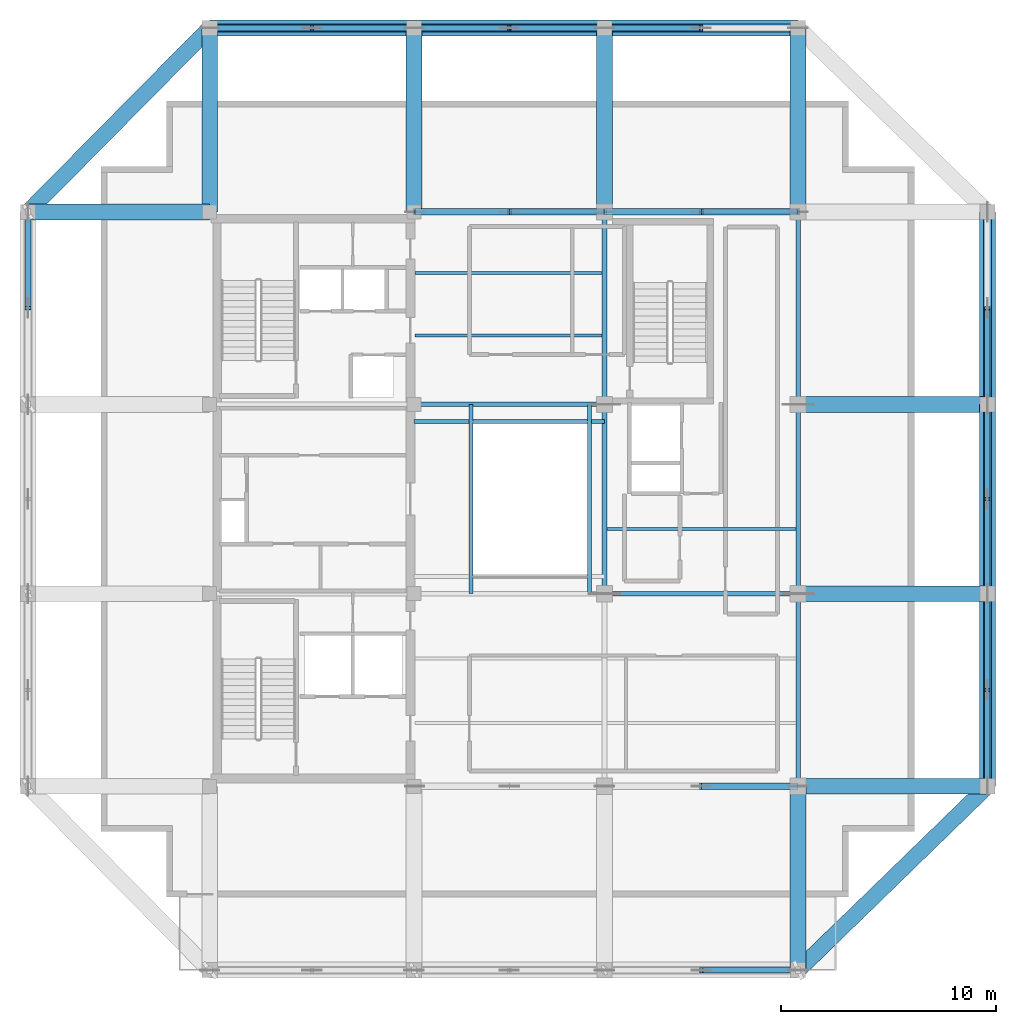
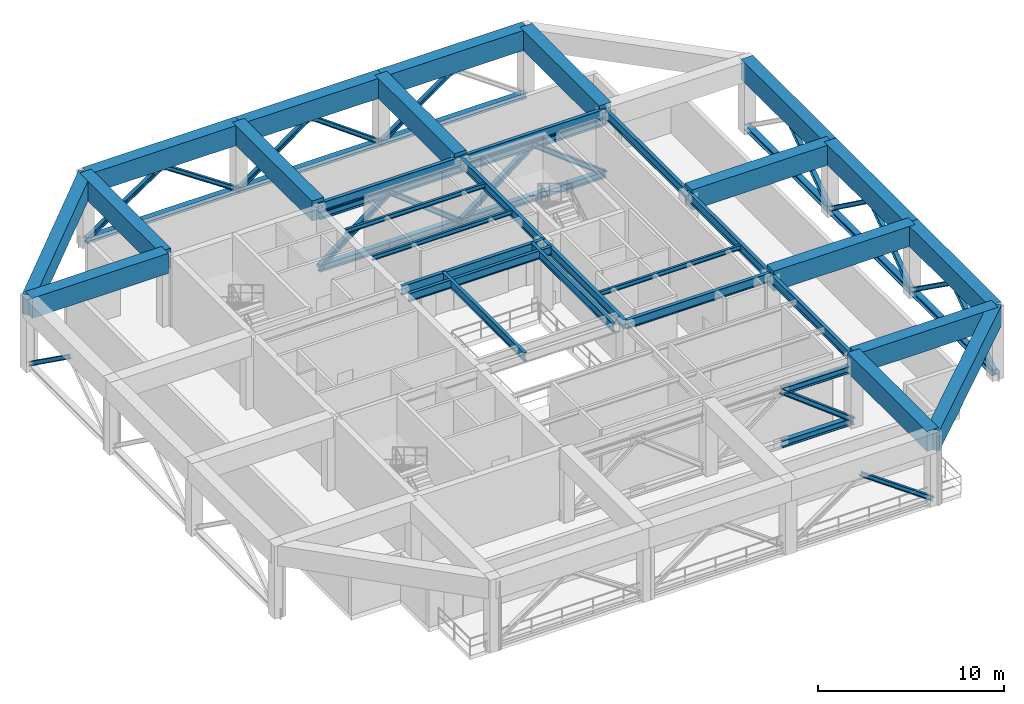
# One storey, part 2 of 10: 33 members, 32 beams.
"""IFC4 building model written with IfcOpenShell, lengths in metres."""

from ifc_helpers import new_model, si_unit, direction, frame, origin, origin_2d, place, context, subcontext, project, spatial, rectangle, i_section, extrude, material, material_profile, profile_set, type_object, element, save


model = new_model("IFC4")

# Units and contexts
model_context = context("Model", 3, precision=1e-05, world=origin(), true_north=direction((0.0, 1.0)))
body_context = subcontext(model_context, "Body", "Model", "MODEL_VIEW")
ifc_project = project(units=[si_unit("LENGTHUNIT", "METRE"), si_unit("AREAUNIT", "SQUARE_METRE"), si_unit("VOLUMEUNIT", "CUBIC_METRE"), si_unit("PLANEANGLEUNIT", "RADIAN"), si_unit("MASSUNIT", "GRAM", prefix="KILO")], contexts=[model_context])

# Site, building, storey
site_placement = place(None, origin())
site = spatial("IfcSite", under=ifc_project, at=site_placement, CompositionType="ELEMENT")
building_placement = place(site_placement, origin())
building = spatial("IfcBuilding", under=site, at=building_placement, Name="Kundavana Baori Tower", CompositionType="ELEMENT")
storey_placement = place(building_placement, frame((0.0, 0.0, 307.699951171875)))
storey = spatial("IfcBuildingStorey", under=building, at=storey_placement, Name="L76", CompositionType="ELEMENT", Elevation=307.699951171875)

# Beams
ifc_material_1 = material(Name="Structural Steel S355JR", Category="steel")
ifc_material_profile_1 = material_profile(ifc_material_1, i_section(OverallWidth=0.139892578125, OverallDepth=0.300048828125, WebThickness=0.0078125, FlangeThickness=0.01318359375, FilletRadius=0.013916015625, at=origin_2d()), Name="ISMB 300")
ifc_profile_set_1 = profile_set([ifc_material_profile_1], Name="Structural Steel S355JR")
beam_type_1 = type_object("IfcBeamType", Name="BM-RF-300", PredefinedType="BEAM", material=ifc_profile_set_1)
for number, where, z_axis, x_axis, name in (
    (1, (24.97998046875, 36.199951171875, 4.41015625), (1.0, 0.0, 0.0), (0.0, 1.0, 0.0), "L76 Central Bay Composite Floor Joist C3"),
    (2, (24.97998046875, 39.10009765625, 4.41015625), (1.0, 0.0, 0.0), (0.0, 1.0, 0.0), "L76 Central Bay Composite Floor Joist C4"),
):
    element("IfcBeam", number, at=place(storey_placement, frame(where, z_axis=z_axis, x_axis=x_axis)), inside=storey, type_object=beam_type_1, Name=name, PredefinedType="BEAM", context=body_context, shape_type="SweptSolid", body=[
        extrude(i_section(OverallWidth=0.139892578125, OverallDepth=0.300048828125, WebThickness=0.0078125, FlangeThickness=0.01318359375, FilletRadius=0.013916015625, at=origin_2d()), origin(), (0.0, 0.0, 1.0), 8.715087890625),
    ])
beam_1_placement = place(storey_placement, frame((33.905029296875, 27.199951171875, 4.41015625), z_axis=(1.0, 0.0, 0.0), x_axis=(0.0, 1.0, 0.0)))
element("IfcBeam", 3, at=beam_1_placement, inside=storey, type_object=beam_type_1, Name="L76 East Bay Composite Floor Joist E3", PredefinedType="BEAM", context=body_context, shape_type="SweptSolid", body=[
    extrude(i_section(OverallWidth=0.139892578125, OverallDepth=0.300048828125, WebThickness=0.0078125, FlangeThickness=0.01318359375, FilletRadius=0.013916015625, at=origin_2d()), origin(), (0.0, 0.0, 1.0), 8.7900390625),
])
ifc_material_2 = material(Name="Structural Steel S355JR", Category="steel")
ifc_material_profile_2 = material_profile(ifc_material_2, i_section(OverallWidth=0.18994140625, OverallDepth=0.550048828125, WebThickness=0.01123046875, FlangeThickness=0.019287109375, FilletRadius=0.01806640625, at=origin_2d()), Name="ISMB 550")
ifc_profile_set_2 = profile_set([ifc_material_profile_2], Name="Structural Steel S355JR")
beam_type_2 = type_object("IfcBeamType", Name="BM-ST-550", PredefinedType="BEAM", material=ifc_profile_set_2)
for number, where, z_axis, x_axis, name in (
    (4, (27.60009765625, 24.199951171875, 4.28515625), (0.0, 1.0, 0.0), (-1.0, 0.0, 0.0), "L76 Atrium West Edge Beam"),
    (5, (33.10009765625, 24.199951171875, 4.28515625), (0.0, 1.0, 0.0), (-1.0, 0.0, 0.0), "L76 Atrium East Edge Beam"),
):
    element("IfcBeam", number, at=place(storey_placement, frame(where, z_axis=z_axis, x_axis=x_axis)), inside=storey, type_object=beam_type_2, Name=name, PredefinedType="BEAM", context=body_context, shape_type="SweptSolid", body=[
        extrude(i_section(OverallWidth=0.18994140625, OverallDepth=0.550048828125, WebThickness=0.01123046875, FlangeThickness=0.019287109375, FilletRadius=0.01806640625, at=origin_2d()), origin(), (0.0, 0.0, 1.0), 8.800048828125),
    ])
beam_2_placement = place(storey_placement, frame((24.949951171875, 32.199951171875, 4.28515625), z_axis=(1.0, 0.0, 0.0), x_axis=(0.0, 1.0, 0.0)))
element("IfcBeam", 6, at=beam_2_placement, inside=storey, type_object=beam_type_2, Name="L76 Atrium North Edge Beam", PredefinedType="BEAM", context=body_context, shape_type="SweptSolid", body=[
    extrude(i_section(OverallWidth=0.18994140625, OverallDepth=0.550048828125, WebThickness=0.01123046875, FlangeThickness=0.019287109375, FilletRadius=0.01806640625, at=origin_2d()), origin(), (0.0, 0.0, 1.0), 8.85009765625),
])
ifc_material_3 = material(Name="Structural Steel S355JR", Category="steel")
ifc_material_profile_3 = material_profile(ifc_material_3, i_section(OverallWidth=0.2099609375, OverallDepth=0.60009765625, WebThickness=0.011962890625, FlangeThickness=0.020751953125, FilletRadius=0.02001953125, at=origin_2d()), Name="ISMB 600")
ifc_profile_set_3 = profile_set([ifc_material_profile_3], Name="Structural Steel S355JR")
beam_type_3 = type_object("IfcBeamType", Name="BM-ST-600", PredefinedType="BEAM", material=ifc_profile_set_3)
beam_3_placement = place(storey_placement, frame((33.800048828125, 24.199951171875, 4.260009765625), z_axis=(1.0, 0.0, 0.0), x_axis=(0.0, 1.0, 0.0)))
element("IfcBeam", 7, at=beam_3_placement, inside=storey, type_object=beam_type_3, Name="L76 Primary Grid Girder GX-2-3", PredefinedType="BEAM", context=body_context, shape_type="SweptSolid", body=[
    extrude(i_section(OverallWidth=0.2099609375, OverallDepth=0.60009765625, WebThickness=0.011962890625, FlangeThickness=0.020751953125, FilletRadius=0.02001953125, at=origin_2d()), origin(), (0.0, 0.0, 1.0), 9.0),
])
for number, where, z_axis, x_axis, name in (
    (8, (24.949951171875, 33.0, 4.260009765625), (1.0, 0.0, 0.0), (0.0, 1.0, 0.0), "L76 Primary Grid Girder GX-3-2"),
    (9, (24.949951171875, 41.949951171875, 4.260009765625), (1.0, 0.0, 0.0), (0.0, 1.0, 0.0), "L76 Primary Grid Girder GX-4-2"),
):
    element("IfcBeam", number, at=place(storey_placement, frame(where, z_axis=z_axis, x_axis=x_axis)), inside=storey, type_object=beam_type_3, Name=name, PredefinedType="BEAM", context=body_context, shape_type="SweptSolid", body=[
        extrude(i_section(OverallWidth=0.2099609375, OverallDepth=0.60009765625, WebThickness=0.011962890625, FlangeThickness=0.020751953125, FilletRadius=0.02001953125, at=origin_2d()), origin(), (0.0, 0.0, 1.0), 8.85009765625),
    ])
beam_4_placement = place(storey_placement, frame((33.800048828125, 41.949951171875, 4.260009765625), z_axis=(1.0, 0.0, 0.0), x_axis=(0.0, 1.0, 0.0)))
element("IfcBeam", 10, at=beam_4_placement, inside=storey, type_object=beam_type_3, Name="L76 Primary Grid Girder GX-4-3", PredefinedType="BEAM", context=body_context, shape_type="SweptSolid", body=[
    extrude(i_section(OverallWidth=0.2099609375, OverallDepth=0.60009765625, WebThickness=0.011962890625, FlangeThickness=0.020751953125, FilletRadius=0.02001953125, at=origin_2d()), origin(), (0.0, 0.0, 1.0), 9.0),
])
beam_5_placement = place(storey_placement, frame((33.800048828125, 24.199951171875, 4.260009765625), z_axis=(0.0, 1.0, 0.0), x_axis=(-1.0, 0.0, 0.0)))
element("IfcBeam", 11, at=beam_5_placement, inside=storey, type_object=beam_type_3, Name="L76 Primary Grid Girder GY-3-2", PredefinedType="BEAM", context=body_context, shape_type="SweptSolid", body=[
    extrude(i_section(OverallWidth=0.2099609375, OverallDepth=0.60009765625, WebThickness=0.011962890625, FlangeThickness=0.020751953125, FilletRadius=0.02001953125, at=origin_2d()), origin(), (0.0, 0.0, 1.0), 8.800048828125),
])
for number, where, z_axis, x_axis, name in (
    (12, (33.800048828125, 33.0, 4.260009765625), (0.0, 1.0, 0.0), (-1.0, 0.0, 0.0), "L76 Primary Grid Girder GY-3-3"),
    (13, (42.800048828125, 15.25, 4.260009765625), (0.0, 1.0, 0.0), (-1.0, 0.0, 0.0), "L76 Primary Grid Girder GY-4-1"),
):
    element("IfcBeam", number, at=place(storey_placement, frame(where, z_axis=z_axis, x_axis=x_axis)), inside=storey, type_object=beam_type_3, Name=name, PredefinedType="BEAM", context=body_context, shape_type="SweptSolid", body=[
        extrude(i_section(OverallWidth=0.2099609375, OverallDepth=0.60009765625, WebThickness=0.011962890625, FlangeThickness=0.020751953125, FilletRadius=0.02001953125, at=origin_2d()), origin(), (0.0, 0.0, 1.0), 8.949951171875),
    ])
beam_6_placement = place(storey_placement, frame((42.800048828125, 24.199951171875, 4.260009765625), z_axis=(0.0, 1.0, 0.0), x_axis=(-1.0, 0.0, 0.0)))
element("IfcBeam", 14, at=beam_6_placement, inside=storey, type_object=beam_type_3, Name="L76 Primary Grid Girder GY-4-2", PredefinedType="BEAM", context=body_context, shape_type="SweptSolid", body=[
    extrude(i_section(OverallWidth=0.2099609375, OverallDepth=0.60009765625, WebThickness=0.011962890625, FlangeThickness=0.020751953125, FilletRadius=0.02001953125, at=origin_2d()), origin(), (0.0, 0.0, 1.0), 8.800048828125),
])
beam_7_placement = place(storey_placement, frame((42.800048828125, 33.0, 4.260009765625), z_axis=(0.0, 1.0, 0.0), x_axis=(-1.0, 0.0, 0.0)))
element("IfcBeam", 15, at=beam_7_placement, inside=storey, type_object=beam_type_3, Name="L76 Primary Grid Girder GY-4-3", PredefinedType="BEAM", context=body_context, shape_type="SweptSolid", body=[
    extrude(i_section(OverallWidth=0.2099609375, OverallDepth=0.60009765625, WebThickness=0.011962890625, FlangeThickness=0.020751953125, FilletRadius=0.02001953125, at=origin_2d()), origin(), (0.0, 0.0, 1.0), 8.949951171875),
])
ifc_material_4 = material(Name="Concrete C50/60", Category="concrete")
ifc_material_profile_4 = material_profile(ifc_material_4, rectangle(XDim=0.739990234375, YDim=1.320068359375, at=origin_2d()), Name="BM-TG-5")
ifc_profile_set_4 = profile_set([ifc_material_profile_4], Name="Concrete C50/60")
beam_type_4 = type_object("IfcBeamType", Name="BM-TG-5", PredefinedType="USERDEFINED", material=ifc_profile_set_4)
beam_8_placement = place(storey_placement, frame((15.449951171875, 50.5, 4.14013671875), z_axis=(1.0, 0.0, 0.0), x_axis=(0.0, 1.0, 0.0)))
element("IfcBeam", 16, at=beam_8_placement, inside=storey, type_object=beam_type_4, Name="L76 Perimeter Frame Ring Beam N1", ObjectType="TRANSFER GIRDER", PredefinedType="USERDEFINED", context=body_context, shape_type="SweptSolid", body=[
    extrude(rectangle(XDim=0.739990234375, YDim=1.320068359375, at=origin_2d()), origin(), (0.0, 0.0, 1.0), 9.5),
])
beam_9_placement = place(storey_placement, frame((24.949951171875, 50.5, 4.14013671875), z_axis=(1.0, 0.0, 0.0), x_axis=(0.0, 1.0, 0.0)))
element("IfcBeam", 17, at=beam_9_placement, inside=storey, type_object=beam_type_4, Name="L76 Perimeter Frame Ring Beam N2", ObjectType="TRANSFER GIRDER", PredefinedType="USERDEFINED", context=body_context, shape_type="SweptSolid", body=[
    extrude(rectangle(XDim=0.739990234375, YDim=1.320068359375, at=origin_2d()), origin(), (0.0, 0.0, 1.0), 8.85009765625),
])
beam_10_placement = place(storey_placement, frame((33.800048828125, 50.5, 4.14013671875), z_axis=(1.0, 0.0, 0.0), x_axis=(0.0, 1.0, 0.0)))
element("IfcBeam", 18, at=beam_10_placement, inside=storey, type_object=beam_type_4, Name="L76 Perimeter Frame Ring Beam N3", ObjectType="TRANSFER GIRDER", PredefinedType="USERDEFINED", context=body_context, shape_type="SweptSolid", body=[
    extrude(rectangle(XDim=0.739990234375, YDim=1.320068359375, at=origin_2d()), origin(), (0.0, 0.0, 1.0), 9.0),
])
beam_11_placement = place(storey_placement, frame((51.60009765625, 15.25, 4.14013671875), z_axis=(0.0, 1.0, 0.0), x_axis=(-1.0, 0.0, 0.0)))
element("IfcBeam", 19, at=beam_11_placement, inside=storey, type_object=beam_type_4, Name="L76 Perimeter Frame Ring Beam E1", ObjectType="TRANSFER GIRDER", PredefinedType="USERDEFINED", context=body_context, shape_type="SweptSolid", body=[
    extrude(rectangle(XDim=0.739990234375, YDim=1.320068359375, at=origin_2d()), origin(), (0.0, 0.0, 1.0), 8.949951171875),
])
beam_12_placement = place(storey_placement, frame((51.60009765625, 24.199951171875, 4.14013671875), z_axis=(0.0, 1.0, 0.0), x_axis=(-1.0, 0.0, 0.0)))
element("IfcBeam", 20, at=beam_12_placement, inside=storey, type_object=beam_type_4, Name="L76 Perimeter Frame Ring Beam E2", ObjectType="TRANSFER GIRDER", PredefinedType="USERDEFINED", context=body_context, shape_type="SweptSolid", body=[
    extrude(rectangle(XDim=0.739990234375, YDim=1.320068359375, at=origin_2d()), origin(), (0.0, 0.0, 1.0), 8.800048828125),
])
beam_13_placement = place(storey_placement, frame((51.60009765625, 33.0, 4.14013671875), z_axis=(0.0, 1.0, 0.0), x_axis=(-1.0, 0.0, 0.0)))
element("IfcBeam", 21, at=beam_13_placement, inside=storey, type_object=beam_type_4, Name="L76 Perimeter Frame Ring Beam E3", ObjectType="TRANSFER GIRDER", PredefinedType="USERDEFINED", context=body_context, shape_type="SweptSolid", body=[
    extrude(rectangle(XDim=0.739990234375, YDim=1.320068359375, at=origin_2d()), origin(), (0.0, 0.0, 1.0), 8.949951171875),
])
beam_14_placement = place(storey_placement, frame((42.800048828125, 6.699951171875, 4.14013671875), z_axis=(0.717221130298, 0.696845643062, 0.0), x_axis=(-0.696845643062, 0.717221130298, 0.0)))
element("IfcBeam", 22, at=beam_14_placement, inside=storey, type_object=beam_type_4, Name="L76 Notched Corner Perimeter Beam SE", ObjectType="TRANSFER GIRDER", PredefinedType="USERDEFINED", context=body_context, shape_type="SweptSolid", body=[
    extrude(rectangle(XDim=0.739990234375, YDim=1.320068359375, at=origin_2d()), origin(), (0.0, 0.0, 1.0), 12.26953125),
])
beam_15_placement = place(storey_placement, frame((15.449951171875, 50.5, 4.14013671875), z_axis=(-0.702931082472, -0.711257965365, 0.0), x_axis=(0.711257965365, -0.702931082472, 0.0)))
element("IfcBeam", 23, at=beam_15_placement, inside=storey, type_object=beam_type_4, Name="L76 Notched Corner Perimeter Beam NW", ObjectType="TRANSFER GIRDER", PredefinedType="USERDEFINED", context=body_context, shape_type="SweptSolid", body=[
    extrude(rectangle(XDim=0.739990234375, YDim=1.320068359375, at=origin_2d()), origin(), (0.0, 0.0, 1.0), 12.02099609375),
])
for number, where, z_axis, x_axis, name in (
    (24, (15.449951171875, 41.949951171875, 4.14013671875), (0.0, 1.0, 0.0), (-1.0, 0.0, 0.0), "L76 North Radial Transfer Girder N1"),
    (25, (24.949951171875, 41.949951171875, 4.14013671875), (0.0, 1.0, 0.0), (-1.0, 0.0, 0.0), "L76 North Radial Transfer Girder N2"),
    (26, (33.800048828125, 41.949951171875, 4.14013671875), (0.0, 1.0, 0.0), (-1.0, 0.0, 0.0), "L76 North Radial Transfer Girder N3"),
    (27, (42.800048828125, 15.25, 4.14013671875), (0.0, -1.0, 0.0), (1.0, 0.0, 0.0), "L76 South Radial Transfer Girder S4"),
    (28, (42.800048828125, 41.949951171875, 4.14013671875), (0.0, 1.0, 0.0), (-1.0, 0.0, 0.0), "L76 North Radial Transfer Girder N4"),
):
    element("IfcBeam", number, at=place(storey_placement, frame(where, z_axis=z_axis, x_axis=x_axis)), inside=storey, type_object=beam_type_4, Name=name, ObjectType="TRANSFER GIRDER", PredefinedType="USERDEFINED", context=body_context, shape_type="SweptSolid", body=[
        extrude(rectangle(XDim=0.739990234375, YDim=1.320068359375, at=origin_2d()), origin(), (0.0, 0.0, 1.0), 8.550048828125),
    ])
for number, where, z_axis, x_axis, name in (
    (29, (42.800048828125, 15.25, 4.14013671875), (1.0, 0.0, 0.0), (0.0, 1.0, 0.0), "L76 East Radial Transfer Girder E1"),
    (30, (42.800048828125, 24.199951171875, 4.14013671875), (1.0, 0.0, 0.0), (0.0, 1.0, 0.0), "L76 East Radial Transfer Girder E2"),
    (31, (42.800048828125, 33.0, 4.14013671875), (1.0, 0.0, 0.0), (0.0, 1.0, 0.0), "L76 East Radial Transfer Girder E3"),
):
    element("IfcBeam", number, at=place(storey_placement, frame(where, z_axis=z_axis, x_axis=x_axis)), inside=storey, type_object=beam_type_4, Name=name, ObjectType="TRANSFER GIRDER", PredefinedType="USERDEFINED", context=body_context, shape_type="SweptSolid", body=[
        extrude(rectangle(XDim=0.739990234375, YDim=1.320068359375, at=origin_2d()), origin(), (0.0, 0.0, 1.0), 8.800048828125),
    ])
beam_16_placement = place(storey_placement, frame((15.449951171875, 41.949951171875, 4.14013671875), z_axis=(-1.0, 0.0, 0.0), x_axis=(0.0, -1.0, 0.0)))
element("IfcBeam", 32, at=beam_16_placement, inside=storey, type_object=beam_type_4, Name="L76 West Radial Transfer Girder W4", ObjectType="TRANSFER GIRDER", PredefinedType="USERDEFINED", context=body_context, shape_type="SweptSolid", body=[
    extrude(rectangle(XDim=0.739990234375, YDim=1.320068359375, at=origin_2d()), origin(), (0.0, 0.0, 1.0), 8.449951171875),
])

# Members
ifc_material_5 = material(Name="Structural Steel S355JR", Category="steel")
ifc_material_profile_5 = material_profile(ifc_material_5, i_section(OverallWidth=0.360107421875, OverallDepth=0.360107421875, WebThickness=0.012451171875, FlangeThickness=0.0224609375, FilletRadius=0.02392578125, at=origin_2d()), Name="WPB 360x360x142")
ifc_profile_set_5 = profile_set([ifc_material_profile_5], Name="Structural Steel S355JR")
member_type_1 = type_object("IfcMemberType", Name="MEM-BT-CH360", PredefinedType="CHORD", material=ifc_profile_set_5)
member_1_placement = place(storey_placement, frame((15.449951171875, 50.5, 0.280029296875), z_axis=(1.0, 0.0, 0.0), x_axis=(0.0, 1.0, 0.0)))
element("IfcMember", 33, at=member_1_placement, inside=storey, type_object=member_type_1, Name="L76 Perimeter Belt Truss Bottom Chord N1", PredefinedType="CHORD", context=body_context, shape_type="SweptSolid", body=[
    extrude(i_section(OverallWidth=0.360107421875, OverallDepth=0.360107421875, WebThickness=0.012451171875, FlangeThickness=0.0224609375, FilletRadius=0.02392578125, at=origin_2d()), origin(), (0.0, 0.0, 1.0), 9.5),
])
member_2_placement = place(storey_placement, frame((24.949951171875, 50.5, 0.280029296875), z_axis=(1.0, 0.0, 0.0), x_axis=(0.0, 1.0, 0.0)))
element("IfcMember", 34, at=member_2_placement, inside=storey, type_object=member_type_1, Name="L76 Perimeter Belt Truss Bottom Chord N2", PredefinedType="CHORD", context=body_context, shape_type="SweptSolid", body=[
    extrude(i_section(OverallWidth=0.360107421875, OverallDepth=0.360107421875, WebThickness=0.012451171875, FlangeThickness=0.0224609375, FilletRadius=0.02392578125, at=origin_2d()), origin(), (0.0, 0.0, 1.0), 8.85009765625),
])
member_3_placement = place(storey_placement, frame((33.800048828125, 50.5, 0.280029296875), z_axis=(1.0, 0.0, 0.0), x_axis=(0.0, 1.0, 0.0)))
element("IfcMember", 35, at=member_3_placement, inside=storey, type_object=member_type_1, Name="L76 Perimeter Belt Truss Bottom Chord N3", PredefinedType="CHORD", context=body_context, shape_type="SweptSolid", body=[
    extrude(i_section(OverallWidth=0.360107421875, OverallDepth=0.360107421875, WebThickness=0.012451171875, FlangeThickness=0.0224609375, FilletRadius=0.02392578125, at=origin_2d()), origin(), (0.0, 0.0, 1.0), 9.0),
])
member_4_placement = place(storey_placement, frame((51.60009765625, 15.25, 0.280029296875), z_axis=(0.0, 1.0, 0.0), x_axis=(-1.0, 0.0, 0.0)))
element("IfcMember", 36, at=member_4_placement, inside=storey, type_object=member_type_1, Name="L76 Perimeter Belt Truss Bottom Chord E1", PredefinedType="CHORD", context=body_context, shape_type="SweptSolid", body=[
    extrude(i_section(OverallWidth=0.360107421875, OverallDepth=0.360107421875, WebThickness=0.012451171875, FlangeThickness=0.0224609375, FilletRadius=0.02392578125, at=origin_2d()), origin(), (0.0, 0.0, 1.0), 8.949951171875),
])
member_5_placement = place(storey_placement, frame((51.60009765625, 24.199951171875, 0.280029296875), z_axis=(0.0, 1.0, 0.0), x_axis=(-1.0, 0.0, 0.0)))
element("IfcMember", 37, at=member_5_placement, inside=storey, type_object=member_type_1, Name="L76 Perimeter Belt Truss Bottom Chord E2", PredefinedType="CHORD", context=body_context, shape_type="SweptSolid", body=[
    extrude(i_section(OverallWidth=0.360107421875, OverallDepth=0.360107421875, WebThickness=0.012451171875, FlangeThickness=0.0224609375, FilletRadius=0.02392578125, at=origin_2d()), origin(), (0.0, 0.0, 1.0), 8.800048828125),
])
member_6_placement = place(storey_placement, frame((51.60009765625, 33.0, 0.280029296875), z_axis=(0.0, 1.0, 0.0), x_axis=(-1.0, 0.0, 0.0)))
element("IfcMember", 38, at=member_6_placement, inside=storey, type_object=member_type_1, Name="L76 Perimeter Belt Truss Bottom Chord E3", PredefinedType="CHORD", context=body_context, shape_type="SweptSolid", body=[
    extrude(i_section(OverallWidth=0.360107421875, OverallDepth=0.360107421875, WebThickness=0.012451171875, FlangeThickness=0.0224609375, FilletRadius=0.02392578125, at=origin_2d()), origin(), (0.0, 0.0, 1.0), 8.949951171875),
])
ifc_material_6 = material(Name="Structural Steel S355JR", Category="steel")
ifc_material_profile_6 = material_profile(ifc_material_6, i_section(OverallWidth=0.260009765625, OverallDepth=0.260009765625, WebThickness=0.010009765625, FlangeThickness=0.017578125, FilletRadius=0.02392578125, at=origin_2d()), Name="WPB 260x260x93")
ifc_profile_set_6 = profile_set([ifc_material_profile_6], Name="Structural Steel S355JR")
member_type_2 = type_object("IfcMemberType", Name="MEM-BT-DG260", PredefinedType="BRACE", material=ifc_profile_set_6)
member_7_placement = place(storey_placement, frame((42.800048828125, 6.699951171875, 0.280029296875), z_axis=(-0.814959500914, 0.0, 0.579517913329), x_axis=(0.0, -1.0, 0.0)))
element("IfcMember", 39, at=member_7_placement, inside=storey, type_object=member_type_2, Name="L76 Perimeter Belt Truss Diagonal S3B", PredefinedType="BRACE", context=body_context, shape_type="SweptSolid", body=[
    extrude(i_section(OverallWidth=0.260009765625, OverallDepth=0.260009765625, WebThickness=0.010009765625, FlangeThickness=0.017578125, FilletRadius=0.02392578125, at=origin_2d()), origin(), (0.0, 0.0, 1.0), 5.521728515625),
])
for number, where, z_axis, x_axis, name in (
    (40, (15.449951171875, 50.5, 0.280029296875), (0.829358320844, 0.0, 0.558717080145), (0.0, 1.0, 0.0), "L76 Perimeter Belt Truss Diagonal N1A"),
    (41, (24.949951171875, 50.5, 0.280029296875), (-0.829358320844, 0.0, 0.558717080145), (0.0, -1.0, 0.0), "L76 Perimeter Belt Truss Diagonal N1B"),
):
    element("IfcMember", number, at=place(storey_placement, frame(where, z_axis=z_axis, x_axis=x_axis)), inside=storey, type_object=member_type_2, Name=name, PredefinedType="BRACE", context=body_context, shape_type="SweptSolid", body=[
        extrude(i_section(OverallWidth=0.260009765625, OverallDepth=0.260009765625, WebThickness=0.010009765625, FlangeThickness=0.017578125, FilletRadius=0.02392578125, at=origin_2d()), origin(), (0.0, 0.0, 1.0), 5.727294921875),
    ])
for number, where, z_axis, x_axis, name in (
    (42, (24.949951171875, 50.5, 0.280029296875), (0.810324230384, 0.0, 0.58598177587), (0.0, 1.0, 0.0), "L76 Perimeter Belt Truss Diagonal N2A"),
    (43, (33.800048828125, 50.5, 0.280029296875), (-0.810324230384, 0.0, 0.58598177587), (0.0, -1.0, 0.0), "L76 Perimeter Belt Truss Diagonal N2B"),
):
    element("IfcMember", number, at=place(storey_placement, frame(where, z_axis=z_axis, x_axis=x_axis)), inside=storey, type_object=member_type_2, Name=name, PredefinedType="BRACE", context=body_context, shape_type="SweptSolid", body=[
        extrude(i_section(OverallWidth=0.260009765625, OverallDepth=0.260009765625, WebThickness=0.010009765625, FlangeThickness=0.017578125, FilletRadius=0.02392578125, at=origin_2d()), origin(), (0.0, 0.0, 1.0), 5.4609375),
    ])
member_8_placement = place(storey_placement, frame((33.800048828125, 50.5, 0.280029296875), z_axis=(0.814959500914, 0.0, 0.579517913329), x_axis=(0.0, 1.0, 0.0)))
element("IfcMember", 44, at=member_8_placement, inside=storey, type_object=member_type_2, Name="L76 Perimeter Belt Truss Diagonal N3A", PredefinedType="BRACE", context=body_context, shape_type="SweptSolid", body=[
    extrude(i_section(OverallWidth=0.260009765625, OverallDepth=0.260009765625, WebThickness=0.010009765625, FlangeThickness=0.017578125, FilletRadius=0.02392578125, at=origin_2d()), origin(), (0.0, 0.0, 1.0), 5.521728515625),
])
member_9_placement = place(storey_placement, frame((7.0, 41.949951171875, 0.280029296875), z_axis=(0.0, -0.813421502107, 0.581674702827), x_axis=(1.0, 0.0, 0.0)))
element("IfcMember", 45, at=member_9_placement, inside=storey, type_object=member_type_2, Name="L76 Perimeter Belt Truss Diagonal W3B", PredefinedType="BRACE", context=body_context, shape_type="SweptSolid", body=[
    extrude(i_section(OverallWidth=0.260009765625, OverallDepth=0.260009765625, WebThickness=0.010009765625, FlangeThickness=0.017578125, FilletRadius=0.02392578125, at=origin_2d()), origin(), (0.0, 0.0, 1.0), 5.501220703125),
])
member_10_placement = place(storey_placement, frame((51.60009765625, 15.25, 0.280029296875), z_axis=(0.0, 0.813436516706, 0.581653705644), x_axis=(-1.0, 0.0, 0.0)))
element("IfcMember", 46, at=member_10_placement, inside=storey, type_object=member_type_2, Name="L76 Perimeter Belt Truss Diagonal E1A", PredefinedType="BRACE", context=body_context, shape_type="SweptSolid", body=[
    extrude(i_section(OverallWidth=0.260009765625, OverallDepth=0.260009765625, WebThickness=0.010009765625, FlangeThickness=0.017578125, FilletRadius=0.02392578125, at=origin_2d()), origin(), (0.0, 0.0, 1.0), 5.50146484375),
])
member_11_placement = place(storey_placement, frame((51.60009765625, 24.199951171875, 0.280029296875), z_axis=(0.0, -0.813421502107, 0.581674702827), x_axis=(1.0, 0.0, 0.0)))
element("IfcMember", 47, at=member_11_placement, inside=storey, type_object=member_type_2, Name="L76 Perimeter Belt Truss Diagonal E1B", PredefinedType="BRACE", context=body_context, shape_type="SweptSolid", body=[
    extrude(i_section(OverallWidth=0.260009765625, OverallDepth=0.260009765625, WebThickness=0.010009765625, FlangeThickness=0.017578125, FilletRadius=0.02392578125, at=origin_2d()), origin(), (0.0, 0.0, 1.0), 5.501220703125),
])
member_12_placement = place(storey_placement, frame((51.60009765625, 24.199951171875, 0.280029296875), z_axis=(0.0, 0.808749667326, 0.588153020565), x_axis=(-1.0, 0.0, 0.0)))
element("IfcMember", 48, at=member_12_placement, inside=storey, type_object=member_type_2, Name="L76 Perimeter Belt Truss Diagonal E2A", PredefinedType="BRACE", context=body_context, shape_type="SweptSolid", body=[
    extrude(i_section(OverallWidth=0.260009765625, OverallDepth=0.260009765625, WebThickness=0.010009765625, FlangeThickness=0.017578125, FilletRadius=0.02392578125, at=origin_2d()), origin(), (0.0, 0.0, 1.0), 5.440673828125),
])
member_13_placement = place(storey_placement, frame((51.60009765625, 33.0, 0.280029296875), z_axis=(0.0, -0.808734143766, 0.588174365905), x_axis=(1.0, 0.0, 0.0)))
element("IfcMember", 49, at=member_13_placement, inside=storey, type_object=member_type_2, Name="L76 Perimeter Belt Truss Diagonal E2B", PredefinedType="BRACE", context=body_context, shape_type="SweptSolid", body=[
    extrude(i_section(OverallWidth=0.260009765625, OverallDepth=0.260009765625, WebThickness=0.010009765625, FlangeThickness=0.017578125, FilletRadius=0.02392578125, at=origin_2d()), origin(), (0.0, 0.0, 1.0), 5.4404296875),
])
member_14_placement = place(storey_placement, frame((51.60009765625, 33.0, 0.280029296875), z_axis=(0.0, 0.813436516706, 0.581653705644), x_axis=(-1.0, 0.0, 0.0)))
element("IfcMember", 50, at=member_14_placement, inside=storey, type_object=member_type_2, Name="L76 Perimeter Belt Truss Diagonal E3A", PredefinedType="BRACE", context=body_context, shape_type="SweptSolid", body=[
    extrude(i_section(OverallWidth=0.260009765625, OverallDepth=0.260009765625, WebThickness=0.010009765625, FlangeThickness=0.017578125, FilletRadius=0.02392578125, at=origin_2d()), origin(), (0.0, 0.0, 1.0), 5.50146484375),
])
ifc_material_7 = material(Name="Structural Steel S355JR", Category="steel")
ifc_material_profile_7 = material_profile(ifc_material_7, i_section(OverallWidth=0.300048828125, OverallDepth=0.449951171875, WebThickness=0.013916015625, FlangeThickness=0.02587890625, FilletRadius=0.02392578125, at=origin_2d()), Name="WPB 450x300x142")
ifc_profile_set_7 = profile_set([ifc_material_profile_7], Name="Structural Steel S355JR")
member_type_3 = type_object("IfcMemberType", Name="MEM-OT-CH450", PredefinedType="CHORD", material=ifc_profile_set_7)
for number, where, z_axis, x_axis, name in (
    (51, (38.300048828125, 15.25, 0.280029296875), (1.0, 0.0, 0.0), (0.0, 1.0, 0.0), "L76 Outrigger Truss OT1 Bottom Chord 2B"),
    (52, (38.300048828125, 15.25, 3.735107421875), (1.0, 0.0, 0.0), (0.0, 1.0, 0.0), "L76 Outrigger Truss OT1 Top Chord 2B"),
):
    element("IfcMember", number, at=place(storey_placement, frame(where, z_axis=z_axis, x_axis=x_axis)), inside=storey, type_object=member_type_3, Name=name, PredefinedType="CHORD", context=body_context, shape_type="SweptSolid", body=[
        extrude(i_section(OverallWidth=0.300048828125, OverallDepth=0.449951171875, WebThickness=0.013916015625, FlangeThickness=0.02587890625, FilletRadius=0.02392578125, at=origin_2d()), origin(), (0.0, 0.0, 1.0), 4.5),
    ])
member_15_placement = place(storey_placement, frame((24.97998046875, 41.949951171875, 0.280029296875), z_axis=(1.0, 0.0, 0.0), x_axis=(0.0, 1.0, 0.0)))
element("IfcMember", 53, at=member_15_placement, inside=storey, type_object=member_type_3, Name="L76 Outrigger Truss OT2 Bottom Chord 1A", PredefinedType="CHORD", context=body_context, shape_type="SweptSolid", body=[
    extrude(i_section(OverallWidth=0.300048828125, OverallDepth=0.449951171875, WebThickness=0.013916015625, FlangeThickness=0.02587890625, FilletRadius=0.02392578125, at=origin_2d()), origin(), (0.0, 0.0, 1.0), 4.409912109375),
])
member_16_placement = place(storey_placement, frame((29.389892578125, 41.949951171875, 0.280029296875), z_axis=(1.0, 0.0, 0.0), x_axis=(0.0, 1.0, 0.0)))
element("IfcMember", 54, at=member_16_placement, inside=storey, type_object=member_type_3, Name="L76 Outrigger Truss OT2 Bottom Chord 1B", PredefinedType="CHORD", context=body_context, shape_type="SweptSolid", body=[
    extrude(i_section(OverallWidth=0.300048828125, OverallDepth=0.449951171875, WebThickness=0.013916015625, FlangeThickness=0.02587890625, FilletRadius=0.02392578125, at=origin_2d()), origin(), (0.0, 0.0, 1.0), 4.41015625),
])
member_17_placement = place(storey_placement, frame((24.97998046875, 41.949951171875, 3.735107421875), z_axis=(1.0, 0.0, 0.0), x_axis=(0.0, 1.0, 0.0)))
element("IfcMember", 55, at=member_17_placement, inside=storey, type_object=member_type_3, Name="L76 Outrigger Truss OT2 Top Chord 1A", PredefinedType="CHORD", context=body_context, shape_type="SweptSolid", body=[
    extrude(i_section(OverallWidth=0.300048828125, OverallDepth=0.449951171875, WebThickness=0.013916015625, FlangeThickness=0.02587890625, FilletRadius=0.02392578125, at=origin_2d()), origin(), (0.0, 0.0, 1.0), 4.409912109375),
])
member_18_placement = place(storey_placement, frame((29.389892578125, 41.949951171875, 3.735107421875), z_axis=(1.0, 0.0, 0.0), x_axis=(0.0, 1.0, 0.0)))
element("IfcMember", 56, at=member_18_placement, inside=storey, type_object=member_type_3, Name="L76 Outrigger Truss OT2 Top Chord 1B", PredefinedType="CHORD", context=body_context, shape_type="SweptSolid", body=[
    extrude(i_section(OverallWidth=0.300048828125, OverallDepth=0.449951171875, WebThickness=0.013916015625, FlangeThickness=0.02587890625, FilletRadius=0.02392578125, at=origin_2d()), origin(), (0.0, 0.0, 1.0), 4.41015625),
])
for number, where, z_axis, x_axis, name in (
    (57, (33.800048828125, 41.949951171875, 0.280029296875), (1.0, 0.0, 0.0), (0.0, 1.0, 0.0), "L76 Outrigger Truss OT2 Bottom Chord 2A"),
    (58, (38.300048828125, 41.949951171875, 0.280029296875), (1.0, 0.0, 0.0), (0.0, 1.0, 0.0), "L76 Outrigger Truss OT2 Bottom Chord 2B"),
    (59, (33.800048828125, 41.949951171875, 3.735107421875), (1.0, 0.0, 0.0), (0.0, 1.0, 0.0), "L76 Outrigger Truss OT2 Top Chord 2A"),
    (60, (38.300048828125, 41.949951171875, 3.735107421875), (1.0, 0.0, 0.0), (0.0, 1.0, 0.0), "L76 Outrigger Truss OT2 Top Chord 2B"),
):
    element("IfcMember", number, at=place(storey_placement, frame(where, z_axis=z_axis, x_axis=x_axis)), inside=storey, type_object=member_type_3, Name=name, PredefinedType="CHORD", context=body_context, shape_type="SweptSolid", body=[
        extrude(i_section(OverallWidth=0.300048828125, OverallDepth=0.449951171875, WebThickness=0.013916015625, FlangeThickness=0.02587890625, FilletRadius=0.02392578125, at=origin_2d()), origin(), (0.0, 0.0, 1.0), 4.5),
    ])
ifc_material_8 = material(Name="Structural Steel S355JR", Category="steel")
ifc_material_profile_8 = material_profile(ifc_material_8, i_section(OverallWidth=0.300048828125, OverallDepth=0.300048828125, WebThickness=0.010986328125, FlangeThickness=0.01904296875, FilletRadius=0.02392578125, at=origin_2d()), Name="WPB 300x300x117")
ifc_profile_set_8 = profile_set([ifc_material_profile_8], Name="Structural Steel S355JR")
member_type_4 = type_object("IfcMemberType", Name="MEM-OT-DG300", PredefinedType="BRACE", material=ifc_profile_set_8)
member_19_placement = place(storey_placement, frame((42.800048828125, 15.25, 0.280029296875), z_axis=(-0.793173969606, 0.0, 0.608995118157), x_axis=(0.0, -1.0, 0.0)))
element("IfcMember", 61, at=member_19_placement, inside=storey, type_object=member_type_4, Name="L76 Outrigger Truss OT1 Diagonal 2B", PredefinedType="BRACE", context=body_context, shape_type="SweptSolid", body=[
    extrude(i_section(OverallWidth=0.300048828125, OverallDepth=0.300048828125, WebThickness=0.010986328125, FlangeThickness=0.01904296875, FilletRadius=0.02392578125, at=origin_2d()), origin(), (0.0, 0.0, 1.0), 5.67333984375),
])
for number, where, z_axis, x_axis, name in (
    (62, (24.97998046875, 41.949951171875, 0.280029296875), (0.78717198766, 0.0, 0.616733542012), (0.0, 1.0, 0.0), "L76 Outrigger Truss OT2 Diagonal 1A"),
    (63, (33.800048828125, 41.949951171875, 0.280029296875), (-0.787188562622, 0.0, 0.616712385863), (0.0, -1.0, 0.0), "L76 Outrigger Truss OT2 Diagonal 1B"),
):
    element("IfcMember", number, at=place(storey_placement, frame(where, z_axis=z_axis, x_axis=x_axis)), inside=storey, type_object=member_type_4, Name=name, PredefinedType="BRACE", context=body_context, shape_type="SweptSolid", body=[
        extrude(i_section(OverallWidth=0.300048828125, OverallDepth=0.300048828125, WebThickness=0.010986328125, FlangeThickness=0.01904296875, FilletRadius=0.02392578125, at=origin_2d()), origin(), (0.0, 0.0, 1.0), 5.602294921875),
    ])
for number, where, z_axis, x_axis, name in (
    (64, (33.800048828125, 41.949951171875, 0.280029296875), (0.793173969606, 0.0, 0.608995118157), (0.0, 1.0, 0.0), "L76 Outrigger Truss OT2 Diagonal 2A"),
    (65, (42.800048828125, 41.949951171875, 0.280029296875), (-0.793173969606, 0.0, 0.608995118157), (0.0, -1.0, 0.0), "L76 Outrigger Truss OT2 Diagonal 2B"),
):
    element("IfcMember", number, at=place(storey_placement, frame(where, z_axis=z_axis, x_axis=x_axis)), inside=storey, type_object=member_type_4, Name=name, PredefinedType="BRACE", context=body_context, shape_type="SweptSolid", body=[
        extrude(i_section(OverallWidth=0.300048828125, OverallDepth=0.300048828125, WebThickness=0.010986328125, FlangeThickness=0.01904296875, FilletRadius=0.02392578125, at=origin_2d()), origin(), (0.0, 0.0, 1.0), 5.67333984375),
    ])

save(model, "model.ifc")
